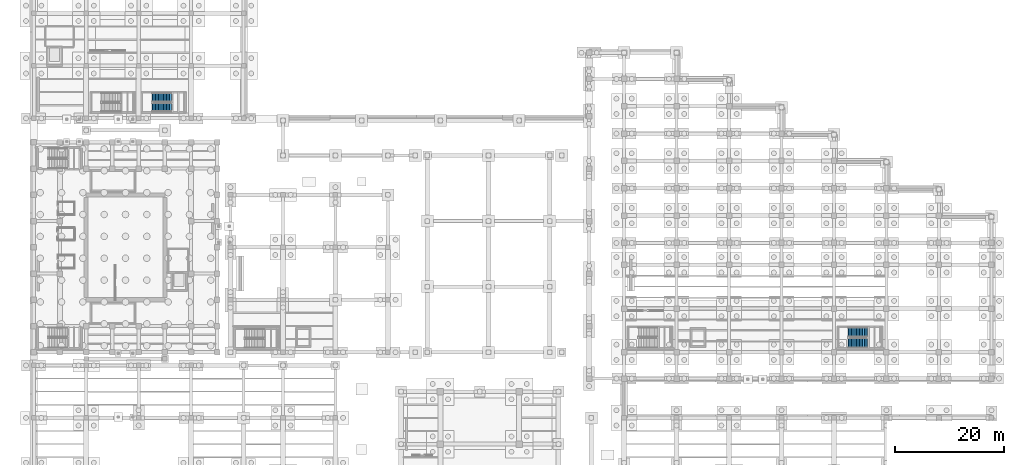
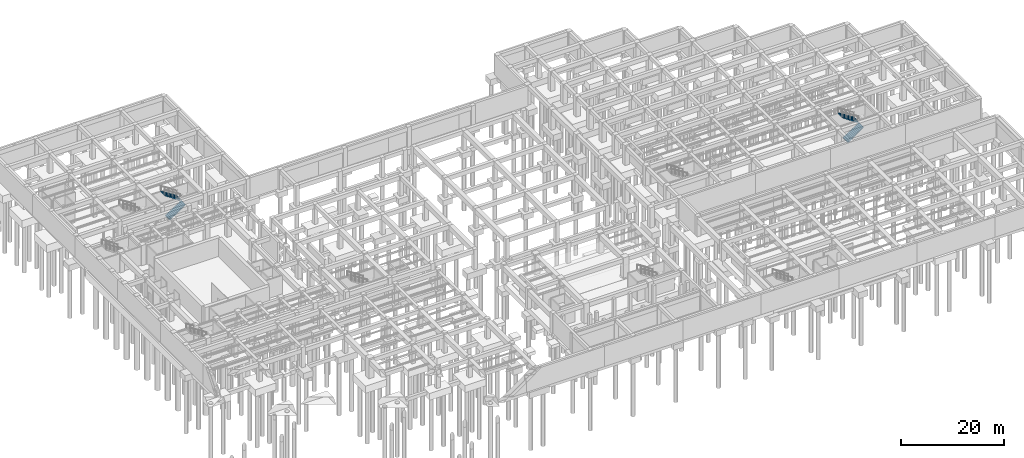
# One storey, part 42 of 56: 4 stair flights, 2 elements without a shape of their own.
"""IFC4 building model written with IfcOpenShell, lengths in metres."""

from ifc_helpers import new_model, si_unit, direction, frame, origin, place, context, subcontext, project, spatial, polyline, outline, extrude, material, type_object, element, aggregate, save


model = new_model("IFC4")

# Units and contexts
model_context = context("Model", 3, precision=1e-05, world=origin(), true_north=direction((0.0, 1.0)))
body_context = subcontext(model_context, "Body", "Model", "MODEL_VIEW")
ifc_project = project(units=[si_unit("LENGTHUNIT", "METRE"), si_unit("AREAUNIT", "SQUARE_METRE"), si_unit("VOLUMEUNIT", "CUBIC_METRE"), si_unit("PLANEANGLEUNIT", "RADIAN"), si_unit("MASSUNIT", "GRAM", prefix="KILO")], contexts=[model_context])

# Site, building, storey
site_placement = place(None, origin())
site = spatial("IfcSite", under=ifc_project, at=site_placement, CompositionType="ELEMENT")
building_placement = place(site_placement, origin())
building = spatial("IfcBuilding", under=site, at=building_placement, Name="Mavantir Sound Aquarium", CompositionType="ELEMENT")
storey_placement = place(building_placement, frame((0.0, 0.0, -9.60009765625)))
storey = spatial("IfcBuildingStorey", under=building, at=storey_placement, Name="B2", CompositionType="ELEMENT", Elevation=-9.60009765625)

# Stair, stair flights
ifc_material = material(Name="Concrete C40/50", Category="concrete")
stair_type_1 = type_object("IfcStairType", Name="STR-1650-4800", PredefinedType="HALF_TURN_STAIR", material=ifc_material)
stair_1_placement = place(storey_placement, origin())
stair_1 = element("IfcStair", 1, at=stair_1_placement, inside=storey, type_object=stair_type_1, Name="B2 Protected exit stair ST7", PredefinedType="HALF_TURN_STAIR")
stair_flight_type_1 = type_object("IfcStairFlightType", Name="STF-1650-4800", PredefinedType="STRAIGHT", material=ifc_material)
stair_flight_1_placement = place(storey_placement, frame((21.699951171875, 85.625, 0.0), z_axis=(0.0, 0.0, 1.0), x_axis=(1.0, 0.0, 0.0)))
stair_flight_1 = element("IfcStairFlight", 2, at=stair_flight_1_placement, type_object=stair_flight_type_1, Name="ST7 flight 1", NumberOfRisers=13, NumberOfTreads=12, PredefinedType="STRAIGHT", RiserHeight=0.184615385, TreadLength=0.29, context=body_context, shape_type="SweptSolid", body=[
    extrude(outline(polyline([(-0.044921875, -0.139892578125), (-0.044921875, 0.0), (0.0, 0.0), (0.0, 0.1845703125), (0.2900390625, 0.1845703125), (0.2900390625, 0.369140625), (0.580078125, 0.369140625), (0.580078125, 0.553955078125), (0.8701171875, 0.553955078125), (0.8701171875, 0.738525390625), (1.159912109375, 0.738525390625), (1.159912109375, 0.923095703125), (1.449951171875, 0.923095703125), (1.449951171875, 1.107666015625), (1.739990234375, 1.107666015625), (1.739990234375, 1.292236328125), (2.030029296875, 1.292236328125), (2.030029296875, 1.476806640625), (2.320068359375, 1.476806640625), (2.320068359375, 1.66162109375), (2.610107421875, 1.66162109375), (2.610107421875, 1.84619140625), (2.89990234375, 1.84619140625), (2.89990234375, 2.03076171875), (3.18994140625, 2.03076171875), (3.18994140625, 2.21533203125), (3.47998046875, 2.21533203125), (3.47998046875, 2.39990234375), (3.52490234375, 2.39990234375), (3.52490234375, 2.080078125), (3.47998046875, 2.080078125), (0.212646484375, -0.139892578125), (-0.044921875, -0.139892578125)])), frame((0.0, 0.824951171875, 0.0), z_axis=(0.0, -1.0, 0.0), x_axis=(1.0, 0.0, 0.0)), (0.0, 0.0, 1.0), 1.64990234375),
])
stair_flight_2_placement = place(storey_placement, frame((25.179931640625, 87.425048828125, 2.400146484375), z_axis=(0.0, 0.0, 1.0), x_axis=(-1.0, 0.0, 0.0)))
stair_flight_2 = element("IfcStairFlight", 3, at=stair_flight_2_placement, type_object=stair_flight_type_1, Name="ST7 flight 2", NumberOfRisers=13, NumberOfTreads=12, PredefinedType="STRAIGHT", RiserHeight=0.184615385, TreadLength=0.29, context=body_context, shape_type="SweptSolid", body=[
    extrude(outline(polyline([(-0.044921875, -0.139892578125), (-0.044921875, 0.0), (0.0, 0.0), (0.0, 0.1845703125), (0.2900390625, 0.1845703125), (0.2900390625, 0.369140625), (0.580078125, 0.369140625), (0.580078125, 0.553955078125), (0.8701171875, 0.553955078125), (0.8701171875, 0.738525390625), (1.159912109375, 0.738525390625), (1.159912109375, 0.923095703125), (1.449951171875, 0.923095703125), (1.449951171875, 1.107666015625), (1.739990234375, 1.107666015625), (1.739990234375, 1.292236328125), (2.030029296875, 1.292236328125), (2.030029296875, 1.476806640625), (2.320068359375, 1.476806640625), (2.320068359375, 1.66162109375), (2.610107421875, 1.66162109375), (2.610107421875, 1.84619140625), (2.89990234375, 1.84619140625), (2.89990234375, 2.03076171875), (3.18994140625, 2.03076171875), (3.18994140625, 2.21533203125), (3.47998046875, 2.21533203125), (3.47998046875, 2.39990234375), (3.52490234375, 2.39990234375), (3.52490234375, 2.080078125), (3.47998046875, 2.080078125), (0.212646484375, -0.139892578125), (-0.044921875, -0.139892578125)])), frame((0.0, 0.824951171875, 0.0), z_axis=(0.0, -1.0, 0.0), x_axis=(1.0, 0.0, 0.0)), (0.0, 0.0, 1.0), 1.64990234375),
])
aggregate(stair_1, [stair_flight_1, stair_flight_2])

stair_type_2 = type_object("IfcStairType", Name="STR-1800-4800", PredefinedType="HALF_TURN_STAIR", material=ifc_material)
stair_2_placement = place(storey_placement, origin())
stair_2 = element("IfcStair", 4, at=stair_2_placement, inside=storey, type_object=stair_type_2, Name="B2 Protected exit stair ST12", PredefinedType="HALF_TURN_STAIR")
stair_flight_type_2 = type_object("IfcStairFlightType", Name="STF-1800-4800", PredefinedType="STRAIGHT", material=ifc_material)
stair_flight_3_placement = place(storey_placement, frame((149.050048828125, 42.5, 0.0), z_axis=(0.0, 0.0, 1.0), x_axis=(1.0, 0.0, 0.0)))
stair_flight_3 = element("IfcStairFlight", 5, at=stair_flight_3_placement, type_object=stair_flight_type_2, Name="ST12 flight 1", NumberOfRisers=13, NumberOfTreads=12, PredefinedType="STRAIGHT", RiserHeight=0.184615385, TreadLength=0.29, context=body_context, shape_type="SweptSolid", body=[
    extrude(outline(polyline([(-0.044921875, -0.139892578125), (-0.044921875, 0.0), (0.0, 0.0), (0.0, 0.1845703125), (0.2900390625, 0.1845703125), (0.2900390625, 0.369140625), (0.580078125, 0.369140625), (0.580078125, 0.553955078125), (0.8701171875, 0.553955078125), (0.8701171875, 0.738525390625), (1.159912109375, 0.738525390625), (1.159912109375, 0.923095703125), (1.449951171875, 0.923095703125), (1.449951171875, 1.107666015625), (1.739990234375, 1.107666015625), (1.739990234375, 1.292236328125), (2.030029296875, 1.292236328125), (2.030029296875, 1.476806640625), (2.320068359375, 1.476806640625), (2.320068359375, 1.66162109375), (2.610107421875, 1.66162109375), (2.610107421875, 1.84619140625), (2.89990234375, 1.84619140625), (2.89990234375, 2.03076171875), (3.18994140625, 2.03076171875), (3.18994140625, 2.21533203125), (3.47998046875, 2.21533203125), (3.47998046875, 2.39990234375), (3.52490234375, 2.39990234375), (3.52490234375, 2.080078125), (3.47998046875, 2.080078125), (0.212646484375, -0.139892578125), (-0.044921875, -0.139892578125)])), frame((0.0, 0.89990234375, 0.0), z_axis=(0.0, -1.0, 0.0), x_axis=(1.0, 0.0, 0.0)), (0.0, 0.0, 1.0), 1.800048828125),
])
stair_flight_4_placement = place(storey_placement, frame((152.530029296875, 44.449951171875, 2.400146484375), z_axis=(0.0, 0.0, 1.0), x_axis=(-1.0, 0.0, 0.0)))
stair_flight_4 = element("IfcStairFlight", 6, at=stair_flight_4_placement, type_object=stair_flight_type_2, Name="ST12 flight 2", NumberOfRisers=13, NumberOfTreads=12, PredefinedType="STRAIGHT", RiserHeight=0.184615385, TreadLength=0.29, context=body_context, shape_type="SweptSolid", body=[
    extrude(outline(polyline([(-0.044921875, -0.139892578125), (-0.044921875, 0.0), (0.0, 0.0), (0.0, 0.1845703125), (0.2900390625, 0.1845703125), (0.2900390625, 0.369140625), (0.580078125, 0.369140625), (0.580078125, 0.553955078125), (0.8701171875, 0.553955078125), (0.8701171875, 0.738525390625), (1.159912109375, 0.738525390625), (1.159912109375, 0.923095703125), (1.449951171875, 0.923095703125), (1.449951171875, 1.107666015625), (1.739990234375, 1.107666015625), (1.739990234375, 1.292236328125), (2.030029296875, 1.292236328125), (2.030029296875, 1.476806640625), (2.320068359375, 1.476806640625), (2.320068359375, 1.66162109375), (2.610107421875, 1.66162109375), (2.610107421875, 1.84619140625), (2.89990234375, 1.84619140625), (2.89990234375, 2.03076171875), (3.18994140625, 2.03076171875), (3.18994140625, 2.21533203125), (3.47998046875, 2.21533203125), (3.47998046875, 2.39990234375), (3.52490234375, 2.39990234375), (3.52490234375, 2.080078125), (3.47998046875, 2.080078125), (0.212646484375, -0.139892578125), (-0.044921875, -0.139892578125)])), frame((0.0, 0.89990234375, 0.0), z_axis=(0.0, -1.0, 0.0), x_axis=(1.0, 0.0, 0.0)), (0.0, 0.0, 1.0), 1.800048828125),
])
aggregate(stair_2, [stair_flight_3, stair_flight_4])

save(model, "model.ifc")
